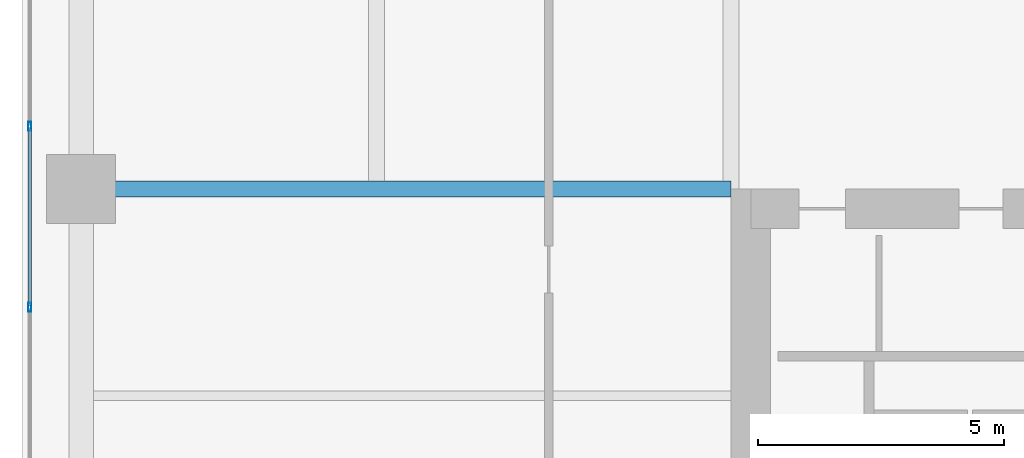
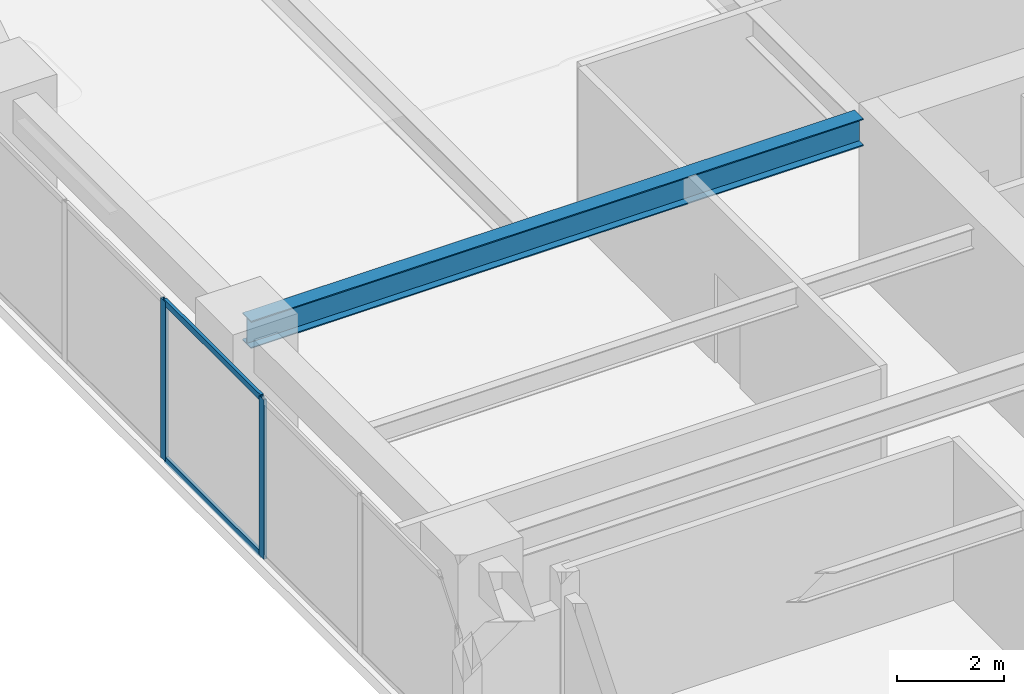
# One storey, part 8 of 24: 4 members, 1 beam, 1 element without a shape of its own.
"""IFC4 building model written with IfcOpenShell, lengths in metres."""

from ifc_helpers import new_model, si_unit, direction, frame, origin, origin_2d, place, context, subcontext, project, spatial, hollow_rectangle, i_section, extrude, material, layer, layer_set, material_profile, profile_set, type_object, element, aggregate, save


model = new_model("IFC4")

# Units and contexts
model_context = context("Model", 3, precision=1e-05, world=origin(), true_north=direction((0.0, 1.0)))
body_context = subcontext(model_context, "Body", "Model", "MODEL_VIEW")
ifc_project = project(units=[si_unit("LENGTHUNIT", "METRE"), si_unit("AREAUNIT", "SQUARE_METRE"), si_unit("VOLUMEUNIT", "CUBIC_METRE"), si_unit("PLANEANGLEUNIT", "RADIAN"), si_unit("MASSUNIT", "GRAM", prefix="KILO")], contexts=[model_context])

# Site, building, storey
site_placement = place(None, origin())
site = spatial("IfcSite", under=ifc_project, at=site_placement, CompositionType="ELEMENT")
building_placement = place(site_placement, origin())
building = spatial("IfcBuilding", under=site, at=building_placement, Name="Kiyonajd Concourse Tower", CompositionType="ELEMENT")
storey_placement = place(building_placement, frame((0.0, 0.0, 129.89990234375)))
storey = spatial("IfcBuildingStorey", under=building, at=storey_placement, Name="L33", CompositionType="ELEMENT", Elevation=129.89990234375)

# Beam
ifc_material_1 = material(Name="Steel ASTM A992 Grade 50", Category="steel")
ifc_material_profile_1 = material_profile(ifc_material_1, i_section(OverallWidth=0.326904296875, OverallDepth=0.6220703125, WebThickness=0.015380859375, FlangeThickness=0.0244140625, at=origin_2d()), Name="W610X195")
ifc_profile_set_1 = profile_set([ifc_material_profile_1], Name="Steel ASTM A992 Grade 50")
beam_type = type_object("IfcBeamType", Name="BM-TWR-610A", PredefinedType="BEAM", material=ifc_profile_set_1)
beam_placement = place(storey_placement, frame((19.199951171875, 44.39990234375, 3.3291015625), z_axis=(1.0, 0.0, 0.0), x_axis=(0.0, 1.0, 0.0)))
element("IfcBeam", 1, at=beam_placement, inside=storey, type_object=beam_type, Name="L33 West Lease Girder", PredefinedType="BEAM", context=body_context, shape_type="SweptSolid", body=[
    extrude(i_section(OverallWidth=0.326904296875, OverallDepth=0.6220703125, WebThickness=0.015380859375, FlangeThickness=0.0244140625, at=origin_2d()), origin(), (0.0, 0.0, 1.0), 13.199951171875),
])

# Curtain wall, members
ifc_material_2 = material(Name="Thermally Broken Anodised Aluminium", Category="aluminium")
ifc_layer = layer(ifc_material_2, 0.179931640625)
ifc_layer_set = layer_set([ifc_layer], Name="Thermally Broken Anodised Aluminium")
curtain_wall_type = type_object("IfcCurtainWallType", Name="CW-SYS-03", PredefinedType="NOTDEFINED", material=ifc_layer_set)
curtain_wall_placement = place(storey_placement, origin())
curtain_wall = element("IfcCurtainWall", 2, at=curtain_wall_placement, inside=storey, type_object=curtain_wall_type, Name="L33 Unitised Curtain Wall CW3", PredefinedType="NOTDEFINED")
ifc_material_profile_2 = material_profile(ifc_material_2, hollow_rectangle(XDim=0.06494140625, YDim=0.179931640625, WallThickness=0.00390625, at=origin_2d()), Name="MULL-65x180")
ifc_profile_set_2 = profile_set([ifc_material_profile_2], Name="Thermally Broken Anodised Aluminium")
member_type_1 = type_object("IfcMemberType", Name="MB-CW-MULL1", PredefinedType="MULLION", material=ifc_profile_set_2)
member_1_placement = place(storey_placement, frame((18.159912109375, 41.996337890625, 0.0), z_axis=(0.0, 0.0, 1.0), x_axis=(-1.0, 0.0, 0.0)))
member_1 = element("IfcMember", 3, at=member_1_placement, type_object=member_type_1, Name="CW3 mullion 3", PredefinedType="MULLION", context=body_context, shape_type="SweptSolid", body=[
    extrude(hollow_rectangle(XDim=0.06494140625, YDim=0.179931640625, WallThickness=0.00390625, at=origin_2d()), origin(), (0.0, 0.0, 1.0), 3.64013671875),
])
member_2_placement = place(storey_placement, frame((18.159912109375, 45.66943359375, 0.0), z_axis=(0.0, 0.0, 1.0), x_axis=(-1.0, 0.0, 0.0)))
member_2 = element("IfcMember", 4, at=member_2_placement, type_object=member_type_1, Name="CW3 mullion 4", PredefinedType="MULLION", context=body_context, shape_type="SweptSolid", body=[
    extrude(hollow_rectangle(XDim=0.06494140625, YDim=0.179931640625, WallThickness=0.00390625, at=origin_2d()), origin(), (0.0, 0.0, 1.0), 3.64013671875),
])
ifc_material_profile_3 = material_profile(ifc_material_2, hollow_rectangle(XDim=0.06494140625, YDim=0.139892578125, WallThickness=0.00390625, at=origin_2d()), Name="TRAN-65x140")
ifc_profile_set_3 = profile_set([ifc_material_profile_3], Name="Thermally Broken Anodised Aluminium")
member_type_2 = type_object("IfcMemberType", Name="MB-CW-TRAN1", PredefinedType="USERDEFINED", material=ifc_profile_set_3)
member_3_placement = place(storey_placement, frame((18.159912109375, 42.02880859375, 0.03271484375), z_axis=(0.0, 1.0, 0.0), x_axis=(-1.0, 0.0, 0.0)))
member_3 = element("IfcMember", 5, at=member_3_placement, type_object=member_type_2, Name="CW3 transom 3.1", ObjectType="TRANSOM", PredefinedType="USERDEFINED", context=body_context, shape_type="SweptSolid", body=[
    extrude(hollow_rectangle(XDim=0.06494140625, YDim=0.139892578125, WallThickness=0.00390625, at=origin_2d()), origin(), (0.0, 0.0, 1.0), 3.608154296875),
])
member_4_placement = place(storey_placement, frame((18.159912109375, 42.02880859375, 3.607666015625), z_axis=(0.0, 1.0, 0.0), x_axis=(-1.0, 0.0, 0.0)))
member_4 = element("IfcMember", 6, at=member_4_placement, type_object=member_type_2, Name="CW3 transom 3.2", ObjectType="TRANSOM", PredefinedType="USERDEFINED", context=body_context, shape_type="SweptSolid", body=[
    extrude(hollow_rectangle(XDim=0.06494140625, YDim=0.139892578125, WallThickness=0.00390625, at=origin_2d()), origin(), (0.0, 0.0, 1.0), 3.608154296875),
])
aggregate(curtain_wall, [member_1, member_2, member_3, member_4])

save(model, "model.ifc")
